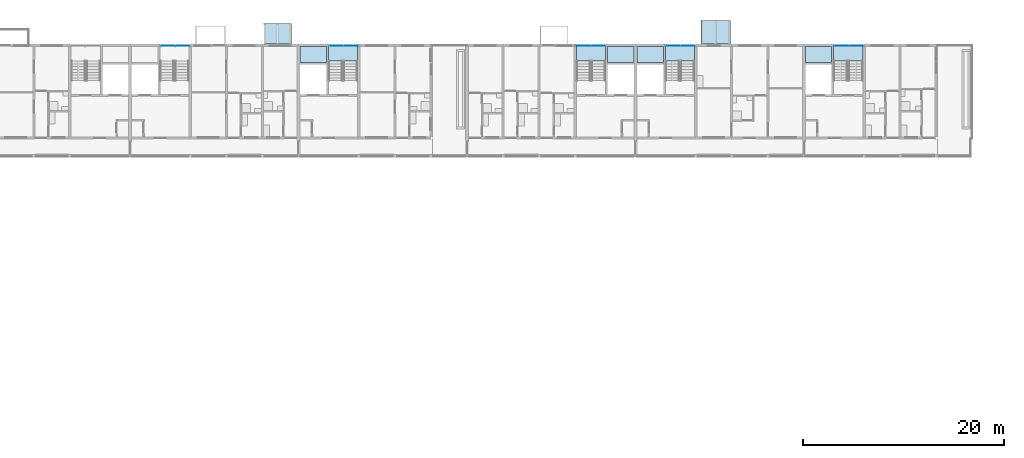
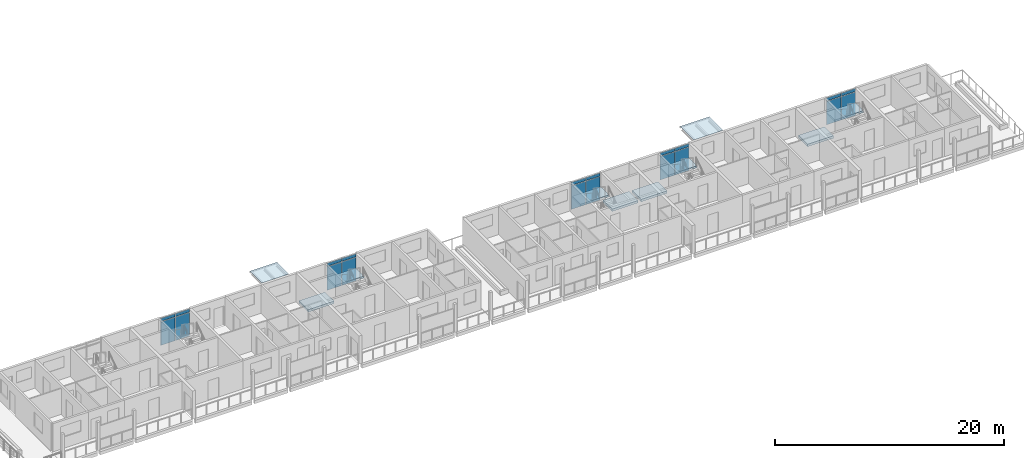
# One storey, part 25 of 93: 20 plates, 10 slabs, 9 elements without a shape of their own.
"""IFC4 building model written with IfcOpenShell, lengths in metres."""

import ifcopenshell
import ifcopenshell.guid

model = None  # the IFC model being written
_history = None  # IfcOwnerHistory: only IFC2X3 demands one
_inside = {}  # id of a spatial element -> (the spatial element, [elements in it])
_under = {}  # id of a project, library or spatial element -> (it, [spatial elements below it])
_declared = {}  # id of a project -> (the project, [libraries it declares])
_typed = {}  # id of a type object -> (the type object, [elements of that type])
_made_of = {}  # id of a material, layer set ... -> (it, [elements and type objects made of it])


def new_model(schema):
    """Start an empty IFC model of exactly this schema.

    Asked for "IFC4X3", IfcOpenShell would pick the latest addendum, in which some entities
    have other attributes; the version numbers below select the first issue.
    IFC2X3 requires an IfcOwnerHistory on every rooted entity: one is made here for all.
    """
    global model, _history
    if schema == "IFC4X3":
        model = ifcopenshell.file(schema_version=(4, 3, 0, 0))
    else:
        model = ifcopenshell.file(schema=schema)
    _inside.clear()
    _under.clear()
    _declared.clear()
    _typed.clear()
    _made_of.clear()
    _history = None
    if model.schema == "IFC2X3":
        org = make("IfcOrganization", Name="unknown")
        user = make(
            "IfcPersonAndOrganization",
            ThePerson=make("IfcPerson", FamilyName="unknown"),
            TheOrganization=org,
        )
        app = make(
            "IfcApplication",
            ApplicationDeveloper=org,
            Version="unknown",
            ApplicationFullName="unknown",
            ApplicationIdentifier="unknown",
        )
        _history = make(
            "IfcOwnerHistory",
            OwningUser=user,
            OwningApplication=app,
            ChangeAction="ADDED",
            CreationDate=0,
        )
    return model


def make(cls, **values):
    """One entity of the class cls with the attributes given. An attribute that is None is left unset."""
    return model.create_entity(
        cls, **{name: value for name, value in values.items() if value is not None}
    )


def rooted(cls, **values):
    """An entity with a GlobalId (a new one), such as an element, a storey or a relation."""
    return make(cls, GlobalId=ifcopenshell.guid.new(), OwnerHistory=_history, **values)


def si_unit(unit_type, name, prefix=None):
    """IfcSIUnit, for example si_unit("LENGTHUNIT", "METRE", prefix="MILLI")."""
    return make("IfcSIUnit", UnitType=unit_type, Prefix=prefix, Name=name)


def assignment(units):
    """IfcUnitAssignment: the units of a project."""
    return None if units is None else make("IfcUnitAssignment", Units=units)


def point(xyz):
    """IfcCartesianPoint."""
    return None if xyz is None else make("IfcCartesianPoint", Coordinates=xyz)


def direction(xyz):
    """IfcDirection."""
    return None if xyz is None else make("IfcDirection", DirectionRatios=xyz)


def frame(location, z_axis=None, x_axis=None):
    """IfcAxis2Placement3D, a coordinate frame: its origin and axes. An axis left out is left unset."""
    return make(
        "IfcAxis2Placement3D",
        Location=point(location),
        Axis=direction(z_axis),
        RefDirection=direction(x_axis),
    )


def frame_2d(location, x_axis=None):
    """IfcAxis2Placement2D, a coordinate frame in the plane: its origin and x axis."""
    return make(
        "IfcAxis2Placement2D", Location=point(location), RefDirection=direction(x_axis)
    )


def origin():
    """The frame at (0, 0, 0) with its axes left unset."""
    return frame((0.0, 0.0, 0.0))


def origin_2d():
    """The frame at (0, 0) in the plane with its x axis left unset."""
    return frame_2d((0.0, 0.0))


def place(relative_to, where):
    """IfcLocalPlacement: puts the frame where relative to a parent placement (None: the world)."""
    return make(
        "IfcLocalPlacement", PlacementRelTo=relative_to, RelativePlacement=where
    )


def context(
    kind, dimensions, precision=None, world=None, true_north=None, identifier=None
):
    """IfcGeometricRepresentationContext, for example the 3D "Model" context."""
    return make(
        "IfcGeometricRepresentationContext",
        ContextIdentifier=identifier,
        ContextType=kind,
        CoordinateSpaceDimension=dimensions,
        Precision=precision,
        WorldCoordinateSystem=world,
        TrueNorth=true_north,
    )


def subcontext(parent, identifier, kind, view, scale=None):
    """IfcGeometricRepresentationSubContext, for example "Body" below "Model"."""
    return make(
        "IfcGeometricRepresentationSubContext",
        ContextIdentifier=identifier,
        ContextType=kind,
        ParentContext=parent,
        TargetScale=scale,
        TargetView=view,
    )


def project(units=None, contexts=None):
    """IfcProject with its units and contexts."""
    return rooted(
        "IfcProject",
        Name="project",
        RepresentationContexts=contexts,
        UnitsInContext=assignment(units),
    )


def spatial(cls, under=None, at=None, **own):
    """A site, building, storey or space (cls), placed at a placement, below another one or the project."""
    s = rooted(cls, ObjectPlacement=at, **own)
    if under is not None:
        _under.setdefault(under.id(), (under, []))[1].append(s)
    return s


def polyline(points):
    """IfcPolyline through the points."""
    return make("IfcPolyline", Points=[point(p) for p in points])


def profile(cls, at=None, kind="AREA", **sizes):
    """A parametric profile (cls). Its sizes go by their IFC names, for example OverallWidth=200.0."""
    return make(cls, ProfileType=kind, Position=at, **sizes)


def rectangle(**sizes):
    """IfcRectangleProfileDef."""
    return profile("IfcRectangleProfileDef", **sizes)


def outline(outer, holes=None, kind="AREA"):
    """IfcArbitraryClosedProfileDef: a profile drawn as a closed curve; with holes, ...WithVoids."""
    if holes is None:
        return make("IfcArbitraryClosedProfileDef", ProfileType=kind, OuterCurve=outer)
    return make(
        "IfcArbitraryProfileDefWithVoids",
        ProfileType=kind,
        OuterCurve=outer,
        InnerCurves=holes,
    )


def extrude(swept, where, along, depth):
    """IfcExtrudedAreaSolid: the profile swept, set in the frame where, extruded along a direction by depth."""
    return make(
        "IfcExtrudedAreaSolid",
        SweptArea=swept,
        Position=where,
        ExtrudedDirection=direction(along),
        Depth=depth,
    )


def shape(context_of_items, identifier, shape_type, items):
    """IfcShapeRepresentation: the items that make up one representation, for example the "Body"."""
    return make(
        "IfcShapeRepresentation",
        ContextOfItems=context_of_items,
        RepresentationIdentifier=identifier,
        RepresentationType=shape_type,
        Items=items,
    )


def material(Name=None, Category=None):
    """IfcMaterial."""
    return make("IfcMaterial", Name=Name, Category=Category)


def layer(
    of_material, thickness, ventilated=None, Name=None, Category=None, Priority=None
):
    """IfcMaterialLayer: one layer of a wall or slab, of a material (None: an air gap)."""
    return make(
        "IfcMaterialLayer",
        Material=of_material,
        LayerThickness=thickness,
        IsVentilated=ventilated,
        Name=Name,
        Category=Category,
        Priority=Priority,
    )


def layer_set(layers, Name=None):
    """IfcMaterialLayerSet."""
    return make("IfcMaterialLayerSet", MaterialLayers=layers, LayerSetName=Name)


def made_of(thing, what):
    """Note that an element or type object is made of a material, layer set ...; save() writes the relation."""
    if what is not None:
        _made_of.setdefault(what.id(), (what, []))[1].append(thing)
    return thing


def type_object(cls, material=None, **own):
    """A type object (cls), such as IfcWallType, which elements share."""
    return made_of(rooted(cls, **own), material)


def element(
    cls,
    number,
    at=None,
    inside=None,
    cuts=None,
    type_object=None,
    material=None,
    context=None,
    identifier="Body",
    shape_type=None,
    held_by="IfcProductDefinitionShape",
    body=None,
    shapes=None,
    **own,
):
    """One element of the class cls, such as IfcWall. Its Tag is "e" and its number.

    at: its placement. inside: the storey or other place that contains it. cuts: it is an
    opening in that element (IfcRelVoidsElement). A single representation is given by context,
    identifier, shape_type and body (its items); several are given by shapes. held_by: the class
    of the entity that holds the representations. save() writes the other relations.
    """
    e = rooted(cls, Tag="e%d" % number, ObjectPlacement=at, **own)
    if body is not None:
        shapes = [shape(context, identifier, shape_type, body)]
    if shapes is not None:
        e.Representation = make(held_by, Representations=shapes)
    if inside is not None:
        _inside.setdefault(inside.id(), (inside, []))[1].append(e)
    if cuts is not None:
        rooted(
            "IfcRelVoidsElement", RelatingBuildingElement=cuts, RelatedOpeningElement=e
        )
    if type_object is not None:
        _typed.setdefault(type_object.id(), (type_object, []))[1].append(e)
    return made_of(e, material)


def aggregate(whole, parts):
    """IfcRelAggregates: a whole, such as a stair, and the parts it consists of."""
    return rooted("IfcRelAggregates", RelatingObject=whole, RelatedObjects=parts)


def save(model, path):
    """Write the relations noted so far, then the file.

    IfcRelAggregates (storeys below a building ...), IfcRelContainedInSpatialStructure (elements
    in a storey), IfcRelDefinesByType, IfcRelAssociatesMaterial and IfcRelDeclares: one each for
    every whole, place, type object, material and project.
    """
    for whole, parts in _under.values():
        aggregate(whole, parts)
    for where, things in _inside.values():
        rooted(
            "IfcRelContainedInSpatialStructure",
            RelatedElements=things,
            RelatingStructure=where,
        )
    for kind, things in _typed.values():
        rooted("IfcRelDefinesByType", RelatedObjects=things, RelatingType=kind)
    for what, things in _made_of.values():
        rooted("IfcRelAssociatesMaterial", RelatedObjects=things, RelatingMaterial=what)
    for by, libraries in _declared.values():
        rooted("IfcRelDeclares", RelatingContext=by, RelatedDefinitions=libraries)
    model.write(path)


model = new_model("IFC4")

# Units and contexts
model_context = context("Model", 3, precision=1e-05, world=origin(), true_north=direction((0.0, 1.0)))
body_context = subcontext(model_context, "Body", "Model", "MODEL_VIEW")
ifc_project = project(units=[si_unit("LENGTHUNIT", "METRE"), si_unit("AREAUNIT", "SQUARE_METRE"), si_unit("VOLUMEUNIT", "CUBIC_METRE"), si_unit("PLANEANGLEUNIT", "RADIAN"), si_unit("MASSUNIT", "GRAM", prefix="KILO")], contexts=[model_context])

# Site, building, storey
site_placement = place(None, origin())
site = spatial("IfcSite", under=ifc_project, at=site_placement, CompositionType="ELEMENT")
building_placement = place(site_placement, origin())
building = spatial("IfcBuilding", under=site, at=building_placement, Name="Ridgestep Commons", CompositionType="ELEMENT")
storey_placement = place(building_placement, frame((0.0, 0.0, 18.0)))
storey = spatial("IfcBuildingStorey", under=building, at=storey_placement, Name="L06", CompositionType="ELEMENT", Elevation=18.0)

# Curtain wall, plates
ifc_material_1 = material(Name="Aluminium 6063-T6 and glass", Category="aluminium")
curtain_wall_type = type_object("IfcCurtainWallType", Name="Curtain wall stair strip", PredefinedType="NOTDEFINED", material=ifc_material_1)
curtain_wall_1_placement = place(storey_placement, origin())
curtain_wall_1 = element("IfcCurtainWall", 1, at=curtain_wall_1_placement, inside=storey, type_object=curtain_wall_type, Name="Curtain wall B2C level 06", PredefinedType="NOTDEFINED")
ifc_material_2 = material(Name="Glass laminated 6/16/6 low-emissivity", Category="glass")
ifc_layer_1 = layer(ifc_material_2, 0.028076171875)
ifc_layer_set_1 = layer_set([ifc_layer_1], Name="Glazing panel 28")
plate_type_1 = type_object("IfcPlateType", Name="Glazing panel 28", PredefinedType="CURTAIN_PANEL", material=ifc_layer_set_1)
plate_1_placement = place(storey_placement, frame((32.546142578125, 77.080078125, 0.06005859375), z_axis=(0.0, 0.0, 1.0), x_axis=(1.0, 0.0, 0.0)))
plate_1 = element("IfcPlate", 2, at=plate_1_placement, type_object=plate_type_1, Name="CW1 panel 1.1", PredefinedType="CURTAIN_PANEL", context=body_context, shape_type="SweptSolid", body=[
    extrude(rectangle(XDim=1.422607421875, YDim=0.028076171875, at=origin_2d()), origin(), (0.0, 0.0, 1.0), 2.5),
])
plate_2_placement = place(storey_placement, frame((34.02880859375, 77.080078125, 0.06005859375), z_axis=(0.0, 0.0, 1.0), x_axis=(1.0, 0.0, 0.0)))
plate_2 = element("IfcPlate", 3, at=plate_2_placement, type_object=plate_type_1, Name="CW1 panel 2.1", PredefinedType="CURTAIN_PANEL", context=body_context, shape_type="SweptSolid", body=[
    extrude(rectangle(XDim=1.422607421875, YDim=0.028076171875, at=origin_2d()), origin(), (0.0, 0.0, 1.0), 2.5),
])

curtain_wall_2_placement = place(storey_placement, origin())
curtain_wall_2 = element("IfcCurtainWall", 4, at=curtain_wall_2_placement, inside=storey, type_object=curtain_wall_type, Name="Curtain wall B3C level 06", PredefinedType="NOTDEFINED")
plate_3_placement = place(storey_placement, frame((49.34619140625, 77.080078125, 0.06005859375), z_axis=(0.0, 0.0, 1.0), x_axis=(1.0, 0.0, 0.0)))
plate_3 = element("IfcPlate", 5, at=plate_3_placement, type_object=plate_type_1, Name="CW1 panel 1.1", PredefinedType="CURTAIN_PANEL", context=body_context, shape_type="SweptSolid", body=[
    extrude(rectangle(XDim=1.422607421875, YDim=0.028076171875, at=origin_2d()), origin(), (0.0, 0.0, 1.0), 2.5),
])
plate_4_placement = place(storey_placement, frame((50.828857421875, 77.080078125, 0.06005859375), z_axis=(0.0, 0.0, 1.0), x_axis=(1.0, 0.0, 0.0)))
plate_4 = element("IfcPlate", 6, at=plate_4_placement, type_object=plate_type_1, Name="CW1 panel 2.1", PredefinedType="CURTAIN_PANEL", context=body_context, shape_type="SweptSolid", body=[
    extrude(rectangle(XDim=1.422607421875, YDim=0.028076171875, at=origin_2d()), origin(), (0.0, 0.0, 1.0), 2.5),
])

curtain_wall_3_placement = place(storey_placement, origin())
curtain_wall_3 = element("IfcCurtainWall", 7, at=curtain_wall_3_placement, inside=storey, type_object=curtain_wall_type, Name="Curtain wall B4C level 06", PredefinedType="NOTDEFINED")
plate_5_placement = place(storey_placement, frame((73.97119140625, 77.080078125, 0.06005859375), z_axis=(0.0, 0.0, 1.0), x_axis=(1.0, 0.0, 0.0)))
plate_5 = element("IfcPlate", 8, at=plate_5_placement, type_object=plate_type_1, Name="CW1 panel 1.1", PredefinedType="CURTAIN_PANEL", context=body_context, shape_type="SweptSolid", body=[
    extrude(rectangle(XDim=1.422607421875, YDim=0.028076171875, at=origin_2d()), origin(), (0.0, 0.0, 1.0), 2.5),
])
plate_6_placement = place(storey_placement, frame((75.453857421875, 77.080078125, 0.06005859375), z_axis=(0.0, 0.0, 1.0), x_axis=(1.0, 0.0, 0.0)))
plate_6 = element("IfcPlate", 9, at=plate_6_placement, type_object=plate_type_1, Name="CW1 panel 2.1", PredefinedType="CURTAIN_PANEL", context=body_context, shape_type="SweptSolid", body=[
    extrude(rectangle(XDim=1.422607421875, YDim=0.028076171875, at=origin_2d()), origin(), (0.0, 0.0, 1.0), 2.5),
])

curtain_wall_4_placement = place(storey_placement, origin())
curtain_wall_4 = element("IfcCurtainWall", 10, at=curtain_wall_4_placement, inside=storey, type_object=curtain_wall_type, Name="Curtain wall B5C level 06", PredefinedType="NOTDEFINED")
plate_7_placement = place(storey_placement, frame((82.9462890625, 77.080078125, 0.06005859375), z_axis=(0.0, 0.0, 1.0), x_axis=(1.0, 0.0, 0.0)))
plate_7 = element("IfcPlate", 11, at=plate_7_placement, type_object=plate_type_1, Name="CW1 panel 1.1", PredefinedType="CURTAIN_PANEL", context=body_context, shape_type="SweptSolid", body=[
    extrude(rectangle(XDim=1.422607421875, YDim=0.028076171875, at=origin_2d()), origin(), (0.0, 0.0, 1.0), 2.5),
])
plate_8_placement = place(storey_placement, frame((84.4287109375, 77.080078125, 0.06005859375), z_axis=(0.0, 0.0, 1.0), x_axis=(1.0, 0.0, 0.0)))
plate_8 = element("IfcPlate", 12, at=plate_8_placement, type_object=plate_type_1, Name="CW1 panel 2.1", PredefinedType="CURTAIN_PANEL", context=body_context, shape_type="SweptSolid", body=[
    extrude(rectangle(XDim=1.422607421875, YDim=0.028076171875, at=origin_2d()), origin(), (0.0, 0.0, 1.0), 2.5),
])

curtain_wall_5_placement = place(storey_placement, origin())
curtain_wall_5 = element("IfcCurtainWall", 13, at=curtain_wall_5_placement, inside=storey, type_object=curtain_wall_type, Name="Curtain wall B6C level 06", PredefinedType="NOTDEFINED")
plate_9_placement = place(storey_placement, frame((99.746337890625, 77.080078125, 0.06005859375), z_axis=(0.0, 0.0, 1.0), x_axis=(1.0, 0.0, 0.0)))
plate_9 = element("IfcPlate", 14, at=plate_9_placement, type_object=plate_type_1, Name="CW1 panel 1.1", PredefinedType="CURTAIN_PANEL", context=body_context, shape_type="SweptSolid", body=[
    extrude(rectangle(XDim=1.422607421875, YDim=0.028076171875, at=origin_2d()), origin(), (0.0, 0.0, 1.0), 2.5),
])
plate_10_placement = place(storey_placement, frame((101.228759765625, 77.080078125, 0.06005859375), z_axis=(0.0, 0.0, 1.0), x_axis=(1.0, 0.0, 0.0)))
plate_10 = element("IfcPlate", 15, at=plate_10_placement, type_object=plate_type_1, Name="CW1 panel 2.1", PredefinedType="CURTAIN_PANEL", context=body_context, shape_type="SweptSolid", body=[
    extrude(rectangle(XDim=1.422607421875, YDim=0.028076171875, at=origin_2d()), origin(), (0.0, 0.0, 1.0), 2.5),
])

# Slabs
ifc_material_3 = material(Name="Precast concrete C50/60", Category="concrete")
ifc_layer_2 = layer(ifc_material_3, 0.25)
ifc_layer_set_2 = layer_set([ifc_layer_2], Name="Hollow-core plank 250")
slab_type_1 = type_object("IfcSlabType", Name="Hollow-core plank 250", PredefinedType="FLOOR", material=ifc_layer_set_2)
slab_1_placement = place(storey_placement, frame((0.0, 0.0, -0.25)))
element("IfcSlab", 16, at=slab_1_placement, inside=storey, type_object=slab_type_1, Name="Floor plank B3C L06", PredefinedType="FLOOR", context=body_context, shape_type="SweptSolid", body=[
    extrude(outline(polyline([(48.375, 77.0), (45.75, 77.0), (45.75, 75.39990234375), (48.375, 75.39990234375), (48.375, 77.0)])), origin(), (0.0, 0.0, 1.0), 0.25),
])
slab_2_placement = place(storey_placement, frame((0.0, 0.0, -0.25)))
element("IfcSlab", 17, at=slab_2_placement, inside=storey, type_object=slab_type_1, Name="Floor plank B4C L06", PredefinedType="FLOOR", context=body_context, shape_type="SweptSolid", body=[
    extrude(outline(polyline([(79.050048828125, 75.39990234375), (79.050048828125, 77.0), (76.425048828125, 77.0), (76.425048828125, 75.39990234375), (79.050048828125, 75.39990234375)])), origin(), (0.0, 0.0, 1.0), 0.25),
])
slab_3_placement = place(storey_placement, frame((0.0, 0.0, -0.25)))
element("IfcSlab", 18, at=slab_3_placement, inside=storey, type_object=slab_type_1, Name="Floor plank B5C L06", PredefinedType="FLOOR", context=body_context, shape_type="SweptSolid", body=[
    extrude(outline(polyline([(81.97509765625, 77.0), (79.35009765625, 77.0), (79.35009765625, 75.39990234375), (81.97509765625, 75.39990234375), (81.97509765625, 77.0)])), origin(), (0.0, 0.0, 1.0), 0.25),
])
slab_4_placement = place(storey_placement, frame((0.0, 0.0, -0.25)))
element("IfcSlab", 19, at=slab_4_placement, inside=storey, type_object=slab_type_1, Name="Floor plank B6C L06", PredefinedType="FLOOR", context=body_context, shape_type="SweptSolid", body=[
    extrude(outline(polyline([(98.77490234375, 77.0), (96.14990234375, 77.0), (96.14990234375, 75.39990234375), (98.77490234375, 75.39990234375), (98.77490234375, 77.0)])), origin(), (0.0, 0.0, 1.0), 0.25),
])

# Plate
ifc_material_4 = material(Name="Aluminium 6063-T6 and mineral wool", Category="aluminium")
ifc_layer_3 = layer(ifc_material_4, 0.0400390625)
ifc_layer_set_3 = layer_set([ifc_layer_3], Name="Spandrel panel 40")
plate_type_2 = type_object("IfcPlateType", Name="Spandrel panel 40", PredefinedType="CURTAIN_PANEL", material=ifc_layer_set_3)
plate_11_placement = place(storey_placement, frame((32.546142578125, 77.080078125, 2.6201171875), z_axis=(0.0, 0.0, 1.0), x_axis=(1.0, 0.0, 0.0)))
plate_11 = element("IfcPlate", 20, at=plate_11_placement, type_object=plate_type_2, Name="CW1 panel 1.2", PredefinedType="CURTAIN_PANEL", context=body_context, shape_type="SweptSolid", body=[
    extrude(rectangle(XDim=1.422607421875, YDim=0.0400390625, at=origin_2d()), origin(), (0.0, 0.0, 1.0), 0.320068359375),
])

plate_12_placement = place(storey_placement, frame((34.02880859375, 77.080078125, 2.6201171875), z_axis=(0.0, 0.0, 1.0), x_axis=(1.0, 0.0, 0.0)))
plate_12 = element("IfcPlate", 21, at=plate_12_placement, type_object=plate_type_2, Name="CW1 panel 2.2", PredefinedType="CURTAIN_PANEL", context=body_context, shape_type="SweptSolid", body=[
    extrude(rectangle(XDim=1.422607421875, YDim=0.0400390625, at=origin_2d()), origin(), (0.0, 0.0, 1.0), 0.320068359375),
])

aggregate(curtain_wall_1, [plate_1, plate_11, plate_2, plate_12])

plate_13_placement = place(storey_placement, frame((49.34619140625, 77.080078125, 2.6201171875), z_axis=(0.0, 0.0, 1.0), x_axis=(1.0, 0.0, 0.0)))
plate_13 = element("IfcPlate", 22, at=plate_13_placement, type_object=plate_type_2, Name="CW1 panel 1.2", PredefinedType="CURTAIN_PANEL", context=body_context, shape_type="SweptSolid", body=[
    extrude(rectangle(XDim=1.422607421875, YDim=0.0400390625, at=origin_2d()), origin(), (0.0, 0.0, 1.0), 0.320068359375),
])

plate_14_placement = place(storey_placement, frame((50.828857421875, 77.080078125, 2.6201171875), z_axis=(0.0, 0.0, 1.0), x_axis=(1.0, 0.0, 0.0)))
plate_14 = element("IfcPlate", 23, at=plate_14_placement, type_object=plate_type_2, Name="CW1 panel 2.2", PredefinedType="CURTAIN_PANEL", context=body_context, shape_type="SweptSolid", body=[
    extrude(rectangle(XDim=1.422607421875, YDim=0.0400390625, at=origin_2d()), origin(), (0.0, 0.0, 1.0), 0.320068359375),
])

aggregate(curtain_wall_2, [plate_3, plate_13, plate_4, plate_14])

plate_15_placement = place(storey_placement, frame((73.97119140625, 77.080078125, 2.6201171875), z_axis=(0.0, 0.0, 1.0), x_axis=(1.0, 0.0, 0.0)))
plate_15 = element("IfcPlate", 24, at=plate_15_placement, type_object=plate_type_2, Name="CW1 panel 1.2", PredefinedType="CURTAIN_PANEL", context=body_context, shape_type="SweptSolid", body=[
    extrude(rectangle(XDim=1.422607421875, YDim=0.0400390625, at=origin_2d()), origin(), (0.0, 0.0, 1.0), 0.320068359375),
])

plate_16_placement = place(storey_placement, frame((75.453857421875, 77.080078125, 2.6201171875), z_axis=(0.0, 0.0, 1.0), x_axis=(1.0, 0.0, 0.0)))
plate_16 = element("IfcPlate", 25, at=plate_16_placement, type_object=plate_type_2, Name="CW1 panel 2.2", PredefinedType="CURTAIN_PANEL", context=body_context, shape_type="SweptSolid", body=[
    extrude(rectangle(XDim=1.422607421875, YDim=0.0400390625, at=origin_2d()), origin(), (0.0, 0.0, 1.0), 0.320068359375),
])

aggregate(curtain_wall_3, [plate_5, plate_15, plate_6, plate_16])

plate_17_placement = place(storey_placement, frame((82.9462890625, 77.080078125, 2.6201171875), z_axis=(0.0, 0.0, 1.0), x_axis=(1.0, 0.0, 0.0)))
plate_17 = element("IfcPlate", 26, at=plate_17_placement, type_object=plate_type_2, Name="CW1 panel 1.2", PredefinedType="CURTAIN_PANEL", context=body_context, shape_type="SweptSolid", body=[
    extrude(rectangle(XDim=1.422607421875, YDim=0.0400390625, at=origin_2d()), origin(), (0.0, 0.0, 1.0), 0.320068359375),
])

plate_18_placement = place(storey_placement, frame((84.4287109375, 77.080078125, 2.6201171875), z_axis=(0.0, 0.0, 1.0), x_axis=(1.0, 0.0, 0.0)))
plate_18 = element("IfcPlate", 27, at=plate_18_placement, type_object=plate_type_2, Name="CW1 panel 2.2", PredefinedType="CURTAIN_PANEL", context=body_context, shape_type="SweptSolid", body=[
    extrude(rectangle(XDim=1.422607421875, YDim=0.0400390625, at=origin_2d()), origin(), (0.0, 0.0, 1.0), 0.320068359375),
])

aggregate(curtain_wall_4, [plate_7, plate_17, plate_8, plate_18])

plate_19_placement = place(storey_placement, frame((99.746337890625, 77.080078125, 2.6201171875), z_axis=(0.0, 0.0, 1.0), x_axis=(1.0, 0.0, 0.0)))
plate_19 = element("IfcPlate", 28, at=plate_19_placement, type_object=plate_type_2, Name="CW1 panel 1.2", PredefinedType="CURTAIN_PANEL", context=body_context, shape_type="SweptSolid", body=[
    extrude(rectangle(XDim=1.422607421875, YDim=0.0400390625, at=origin_2d()), origin(), (0.0, 0.0, 1.0), 0.320068359375),
])

plate_20_placement = place(storey_placement, frame((101.228759765625, 77.080078125, 2.6201171875), z_axis=(0.0, 0.0, 1.0), x_axis=(1.0, 0.0, 0.0)))
plate_20 = element("IfcPlate", 29, at=plate_20_placement, type_object=plate_type_2, Name="CW1 panel 2.2", PredefinedType="CURTAIN_PANEL", context=body_context, shape_type="SweptSolid", body=[
    extrude(rectangle(XDim=1.422607421875, YDim=0.0400390625, at=origin_2d()), origin(), (0.0, 0.0, 1.0), 0.320068359375),
])

aggregate(curtain_wall_5, [plate_9, plate_19, plate_10, plate_20])

# Stair, slab
ifc_material_5 = material(Name="Precast concrete C40/50", Category="concrete")
stair_type = type_object("IfcStairType", Name="Escape stair 1400", PredefinedType="HALF_TURN_STAIR", material=ifc_material_5)
stair_1_placement = place(storey_placement, origin())
stair_1 = element("IfcStair", 30, at=stair_1_placement, inside=storey, type_object=stair_type, Name="L06 Escape stair B3C", PredefinedType="HALF_TURN_STAIR")
ifc_material_6 = material(Name="Precast concrete C40/50", Category="concrete")
ifc_layer_4 = layer(ifc_material_6, 0.199951171875)
ifc_layer_set_4 = layer_set([ifc_layer_4], Name="Stair landing 200")
slab_type_2 = type_object("IfcSlabType", Name="Stair landing 200", PredefinedType="LANDING", material=ifc_layer_set_4)
slab_5_placement = place(storey_placement, frame((0.0, 0.0, 1.300048828125)))
slab_5 = element("IfcSlab", 31, at=slab_5_placement, type_object=slab_type_2, Name="B3C landing 1", PredefinedType="LANDING", context=body_context, shape_type="SweptSolid", body=[
    extrude(outline(polyline([(51.47509765625, 75.56005859375), (51.47509765625, 77.0), (48.574951171875, 77.0), (48.574951171875, 75.56005859375), (51.47509765625, 75.56005859375)])), origin(), (0.0, 0.0, 1.0), 0.199951171875),
])
aggregate(stair_1, [slab_5])

stair_2_placement = place(storey_placement, origin())
stair_2 = element("IfcStair", 32, at=stair_2_placement, inside=storey, type_object=stair_type, Name="L06 Escape stair B4C", PredefinedType="HALF_TURN_STAIR")
slab_6_placement = place(storey_placement, frame((0.0, 0.0, 1.300048828125)))
slab_6 = element("IfcSlab", 33, at=slab_6_placement, type_object=slab_type_2, Name="B4C landing 1", PredefinedType="LANDING", context=body_context, shape_type="SweptSolid", body=[
    extrude(outline(polyline([(76.22509765625, 75.56005859375), (76.22509765625, 77.0), (73.324951171875, 77.0), (73.324951171875, 75.56005859375), (76.22509765625, 75.56005859375)])), origin(), (0.0, 0.0, 1.0), 0.199951171875),
])
aggregate(stair_2, [slab_6])

stair_3_placement = place(storey_placement, origin())
stair_3 = element("IfcStair", 34, at=stair_3_placement, inside=storey, type_object=stair_type, Name="L06 Escape stair B5C", PredefinedType="HALF_TURN_STAIR")
slab_7_placement = place(storey_placement, frame((0.0, 0.0, 1.300048828125)))
slab_7 = element("IfcSlab", 35, at=slab_7_placement, type_object=slab_type_2, Name="B5C landing 1", PredefinedType="LANDING", context=body_context, shape_type="SweptSolid", body=[
    extrude(outline(polyline([(85.074951171875, 75.56005859375), (85.074951171875, 77.0), (82.175048828125, 77.0), (82.175048828125, 75.56005859375), (85.074951171875, 75.56005859375)])), origin(), (0.0, 0.0, 1.0), 0.199951171875),
])
aggregate(stair_3, [slab_7])

stair_4_placement = place(storey_placement, origin())
stair_4 = element("IfcStair", 36, at=stair_4_placement, inside=storey, type_object=stair_type, Name="L06 Escape stair B6C", PredefinedType="HALF_TURN_STAIR")
slab_8_placement = place(storey_placement, frame((0.0, 0.0, 1.300048828125)))
slab_8 = element("IfcSlab", 37, at=slab_8_placement, type_object=slab_type_2, Name="B6C landing 1", PredefinedType="LANDING", context=body_context, shape_type="SweptSolid", body=[
    extrude(outline(polyline([(101.875, 75.56005859375), (101.875, 77.0), (98.97509765625, 77.0), (98.97509765625, 75.56005859375), (101.875, 75.56005859375)])), origin(), (0.0, 0.0, 1.0), 0.199951171875),
])
aggregate(stair_4, [slab_8])

# Slabs
ifc_material_7 = material(Name="Weathering steel S355J2W", Category="steel")
ifc_layer_5 = layer(ifc_material_7, 0.010009765625)
ifc_layer_set_5 = layer_set([ifc_layer_5], Name="Tray 2.8 x 2.1")
slab_type_3 = type_object("IfcSlabType", Name="Tray 2.8 x 2.1", PredefinedType="FLOOR", material=ifc_layer_set_5)
slab_9_placement = place(storey_placement, frame((0.0, 0.0, 2.989990234375)))
element("IfcSlab", 38, at=slab_9_placement, inside=storey, type_object=slab_type_3, Name="Tray deck B2T1-07", PredefinedType="FLOOR", context=body_context, shape_type="SweptSolid", body=[
    extrude(outline(polyline([(42.1298828125, 77.25), (44.8701171875, 77.25), (44.8701171875, 79.35009765625), (42.1298828125, 79.35009765625), (42.1298828125, 77.25)])), origin(), (0.0, 0.0, 1.0), 0.010009765625),
])
ifc_material_8 = material(Name="Weathering steel S355J2W", Category="steel")
ifc_layer_6 = layer(ifc_material_8, 0.010009765625)
ifc_layer_set_6 = layer_set([ifc_layer_6], Name="Tray 3.0 x 2.4")
slab_type_4 = type_object("IfcSlabType", Name="Tray 3.0 x 2.4", PredefinedType="FLOOR", material=ifc_layer_set_6)
slab_10_placement = place(storey_placement, frame((0.0, 0.0, 2.989990234375)))
element("IfcSlab", 39, at=slab_10_placement, inside=storey, type_object=slab_type_4, Name="Tray deck B5T3-07", PredefinedType="FLOOR", context=body_context, shape_type="SweptSolid", body=[
    extrude(outline(polyline([(85.72998046875, 77.25), (88.669921875, 77.25), (88.669921875, 79.64990234375), (85.72998046875, 79.64990234375), (85.72998046875, 77.25)])), origin(), (0.0, 0.0, 1.0), 0.010009765625),
])

save(model, "model.ifc")
